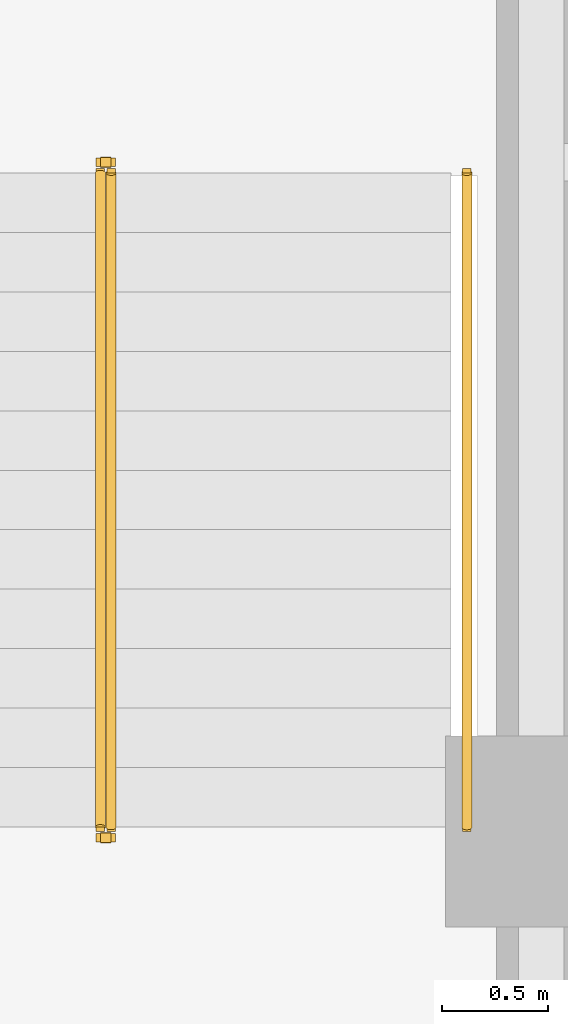
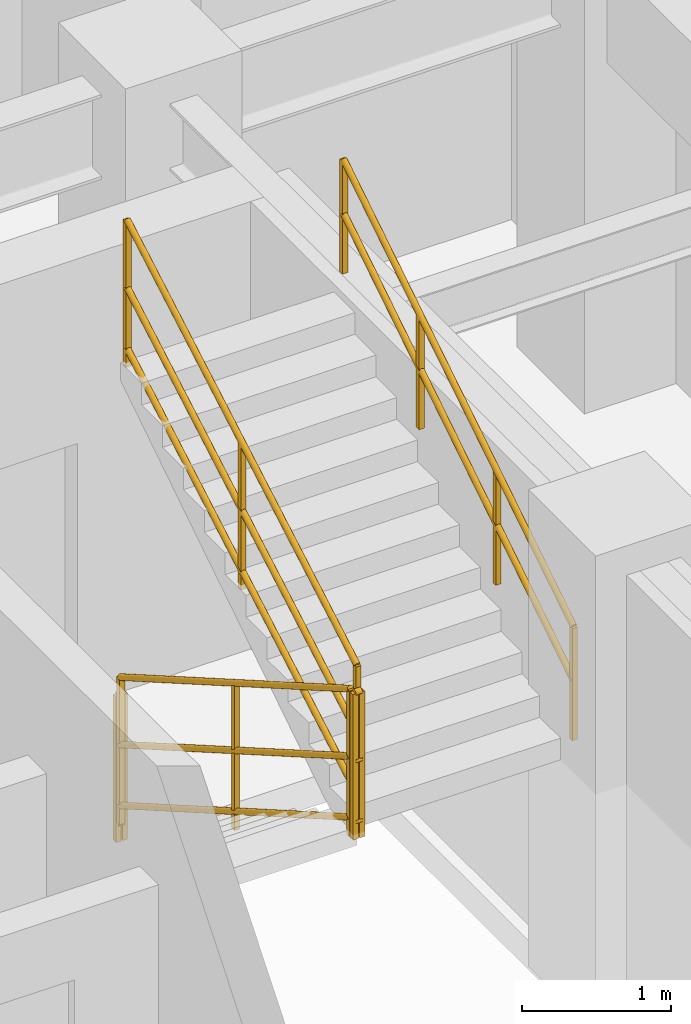
# One storey, part 9 of 10: 5 railings.
"""IFC4 building model written with IfcOpenShell, lengths in metres."""

from ifc_helpers import new_model, entity, si_unit, converted_unit, direction, frame, origin_with_axes, origin_2d_with_axis, place, context, subcontext, project, spatial, rectangle, circle, extrude, material, type_object, element, save


model = new_model("IFC4")

# Units and contexts
model_context = context("Model", 3, precision=1e-05, world=origin_with_axes(), true_north=direction((0.0, 1.0)))
body_context = subcontext(model_context, "Body", "Model", "MODEL_VIEW")
ifc_project = project(units=[si_unit("LENGTHUNIT", "METRE"), si_unit("AREAUNIT", "SQUARE_METRE"), si_unit("VOLUMEUNIT", "CUBIC_METRE"), converted_unit("PLANEANGLEUNIT", "DEGREE", entity("IfcPlaneAngleMeasure", 0.017453292519943295), si_unit("PLANEANGLEUNIT", "RADIAN"), dimensions=[0, 0, 0, 0, 0, 0, 0]), si_unit("MASSUNIT", "GRAM", prefix="KILO"), si_unit("THERMODYNAMICTEMPERATUREUNIT", "KELVIN")], contexts=[model_context])

# Site, building, storey
site_placement = place(None, origin_with_axes())
site = spatial("IfcSite", under=ifc_project, at=site_placement, CompositionType="ELEMENT")
building_placement = place(site_placement, origin_with_axes())
building = spatial("IfcBuilding", under=site, at=building_placement, Name="Varnlund Millrace Tower", CompositionType="ELEMENT")
storey_placement = place(building_placement, frame((0.0, 0.0, 236.4), z_axis=(0.0, 0.0, 1.0), x_axis=(1.0, 0.0, 0.0)))
storey = spatial("IfcBuildingStorey", under=building, at=storey_placement, Name="L58", CompositionType="ELEMENT", Elevation=236.4)

# Railings
ifc_material_1 = material(Name="Painted steel stair well balustrade guard", Category="steel")
railing_type_1 = type_object("IfcRailingType", Name="Type-StairGuard-1150", PredefinedType="GUARDRAIL", material=ifc_material_1)
railing_1_placement = place(storey_placement, frame((0.0, 0.0, -236.4), z_axis=(0.0, 0.0, 1.0), x_axis=(1.0, 0.0, 0.0)))
element("IfcRailing", 1, at=railing_1_placement, inside=storey, type_object=railing_type_1, Name="Type-StairGuard-1150", PredefinedType="GUARDRAIL", context=body_context, shape_type="SweptSolid", body=[
    extrude(circle(Radius=0.024, at=origin_2d_with_axis()), frame((45.975, 21.1, 237.727273), z_axis=(0.0, -0.866696, 0.498836), x_axis=(1.0, 0.0, 0.0)), (0.0, 0.0, 1.0), 3.553725),
    extrude(circle(Radius=0.024, at=origin_2d_with_axis()), frame((45.975, 21.1, 236.677273), z_axis=(0.0, -0.866696, 0.498836), x_axis=(1.0, 0.0, 0.0)), (0.0, 0.0, 1.0), 3.553725),
    extrude(circle(Radius=0.024, at=origin_2d_with_axis()), frame((45.975, 21.1, 237.175273), z_axis=(0.0, -0.866696, 0.498836), x_axis=(1.0, 0.0, 0.0)), (0.0, 0.0, 1.0), 3.553725),
    extrude(rectangle(XDim=0.04, YDim=0.04, at=origin_2d_with_axis()), frame((45.975, 21.1, 236.537273), z_axis=(0.0, 0.0, 1.0), x_axis=(1.0, 0.0, 0.0)), (0.0, 0.0, 1.0), 1.19),
    extrude(rectangle(XDim=0.04, YDim=0.04, at=origin_2d_with_axis()), frame((45.975, 19.56, 237.423637), z_axis=(0.0, 0.0, 1.0), x_axis=(1.0, 0.0, 0.0)), (0.0, 0.0, 1.0), 1.19),
    extrude(rectangle(XDim=0.04, YDim=0.04, at=origin_2d_with_axis()), frame((45.975, 18.02, 238.31), z_axis=(0.0, 0.0, 1.0), x_axis=(1.0, 0.0, 0.0)), (0.0, 0.0, 1.0), 1.19),
])
railing_2_placement = place(storey_placement, frame((0.0, 0.0, -236.4), z_axis=(0.0, 0.0, 1.0), x_axis=(1.0, 0.0, 0.0)))
element("IfcRailing", 2, at=railing_2_placement, inside=storey, type_object=railing_type_1, Name="Type-StairGuard-1150", PredefinedType="GUARDRAIL", context=body_context, shape_type="SweptSolid", body=[
    extrude(circle(Radius=0.024, at=origin_2d_with_axis()), frame((46.025, 17.97, 239.5), z_axis=(-1.0, 0.0, 0.0), x_axis=(0.0, -1.0, 0.0)), (0.0, 0.0, 1.0), 0.05),
    extrude(circle(Radius=0.024, at=origin_2d_with_axis()), frame((46.025, 17.97, 238.45), z_axis=(-1.0, 0.0, 0.0), x_axis=(0.0, -1.0, 0.0)), (0.0, 0.0, 1.0), 0.05),
    extrude(circle(Radius=0.024, at=origin_2d_with_axis()), frame((46.025, 17.97, 238.948), z_axis=(-1.0, 0.0, 0.0), x_axis=(0.0, -1.0, 0.0)), (0.0, 0.0, 1.0), 0.05),
    extrude(rectangle(XDim=0.04, YDim=0.04, at=origin_2d_with_axis()), frame((46.025, 17.97, 238.31), z_axis=(0.0, 0.0, 1.0), x_axis=(1.0, 0.0, 0.0)), (0.0, 0.0, 1.0), 1.19),
    extrude(rectangle(XDim=0.04, YDim=0.04, at=origin_2d_with_axis()), frame((45.975, 17.97, 238.31), z_axis=(0.0, 0.0, 1.0), x_axis=(1.0, 0.0, 0.0)), (0.0, 0.0, 1.0), 1.19),
])
railing_3_placement = place(storey_placement, frame((0.0, 0.0, -236.4), z_axis=(0.0, 0.0, 1.0), x_axis=(1.0, 0.0, 0.0)))
element("IfcRailing", 3, at=railing_3_placement, inside=storey, type_object=railing_type_1, Name="Type-StairGuard-1150", PredefinedType="GUARDRAIL", context=body_context, shape_type="SweptSolid", body=[
    extrude(circle(Radius=0.024, at=origin_2d_with_axis()), frame((46.025, 18.02, 239.677273), z_axis=(0.0, 0.866696, 0.498836), x_axis=(-1.0, 0.0, 0.0)), (0.0, 0.0, 1.0), 3.553725),
    extrude(circle(Radius=0.024, at=origin_2d_with_axis()), frame((46.025, 18.02, 238.627273), z_axis=(0.0, 0.866696, 0.498836), x_axis=(-1.0, 0.0, 0.0)), (0.0, 0.0, 1.0), 3.553725),
    extrude(circle(Radius=0.024, at=origin_2d_with_axis()), frame((46.025, 18.02, 239.125273), z_axis=(0.0, 0.866696, 0.498836), x_axis=(-1.0, 0.0, 0.0)), (0.0, 0.0, 1.0), 3.553725),
    extrude(rectangle(XDim=0.04, YDim=0.04, at=origin_2d_with_axis()), frame((46.025, 18.02, 238.487273), z_axis=(0.0, 0.0, 1.0), x_axis=(1.0, 0.0, 0.0)), (0.0, 0.0, 1.0), 1.19),
    extrude(rectangle(XDim=0.04, YDim=0.04, at=origin_2d_with_axis()), frame((46.025, 19.56, 239.373636), z_axis=(0.0, 0.0, 1.0), x_axis=(1.0, 0.0, 0.0)), (0.0, 0.0, 1.0), 1.19),
    extrude(rectangle(XDim=0.04, YDim=0.04, at=origin_2d_with_axis()), frame((46.025, 21.1, 240.26), z_axis=(0.0, 0.0, 1.0), x_axis=(1.0, 0.0, 0.0)), (0.0, 0.0, 1.0), 1.19),
])
railing_4_placement = place(storey_placement, frame((0.0, 0.0, -236.4), z_axis=(0.0, 0.0, 1.0), x_axis=(1.0, 0.0, 0.0)))
element("IfcRailing", 4, at=railing_4_placement, inside=storey, type_object=railing_type_1, Name="Type-StairGuard-1150", PredefinedType="GUARDRAIL", context=body_context, shape_type="SweptSolid", body=[
    extrude(circle(Radius=0.024, at=origin_2d_with_axis()), frame((46.025, 21.15, 237.55), z_axis=(-1.0, 0.0, 0.0), x_axis=(0.0, -1.0, 0.0)), (0.0, 0.0, 1.0), 0.05),
    extrude(circle(Radius=0.024, at=origin_2d_with_axis()), frame((46.025, 21.15, 236.5), z_axis=(-1.0, 0.0, 0.0), x_axis=(0.0, -1.0, 0.0)), (0.0, 0.0, 1.0), 0.05),
    extrude(circle(Radius=0.024, at=origin_2d_with_axis()), frame((46.025, 21.15, 236.998), z_axis=(-1.0, 0.0, 0.0), x_axis=(0.0, -1.0, 0.0)), (0.0, 0.0, 1.0), 0.05),
    extrude(rectangle(XDim=0.04, YDim=0.04, at=origin_2d_with_axis()), frame((46.025, 21.15, 236.36), z_axis=(0.0, 0.0, 1.0), x_axis=(1.0, 0.0, 0.0)), (0.0, 0.0, 1.0), 1.19),
    extrude(rectangle(XDim=0.04, YDim=0.04, at=origin_2d_with_axis()), frame((45.975, 21.15, 236.36), z_axis=(0.0, 0.0, 1.0), x_axis=(1.0, 0.0, 0.0)), (0.0, 0.0, 1.0), 1.19),
])
ifc_material_2 = material(Name="Brushed architectural bronze stair handrail", Category="aluminium")
railing_type_2 = type_object("IfcRailingType", Name="Type-StairHandrail-900", PredefinedType="HANDRAIL", material=ifc_material_2)
railing_5_placement = place(storey_placement, frame((0.0, 0.0, -236.4), z_axis=(0.0, 0.0, 1.0), x_axis=(1.0, 0.0, 0.0)))
element("IfcRailing", 5, at=railing_5_placement, inside=storey, type_object=railing_type_2, Name="Type-StairHandrail-900", PredefinedType="HANDRAIL", context=body_context, shape_type="SweptSolid", body=[
    extrude(circle(Radius=0.024, at=origin_2d_with_axis()), frame((47.7, 18.02, 239.406995), z_axis=(0.0, 0.844902, 0.534922), x_axis=(-1.0, 0.0, 0.0)), (0.0, 0.0, 1.0), 3.645394),
    extrude(circle(Radius=0.024, at=origin_2d_with_axis()), frame((47.7, 18.02, 238.967134), z_axis=(0.0, 0.844902, 0.534922), x_axis=(-1.0, 0.0, 0.0)), (0.0, 0.0, 1.0), 3.645394),
    extrude(rectangle(XDim=0.04, YDim=0.04, at=origin_2d_with_axis()), frame((47.7, 18.02, 238.487273), z_axis=(0.0, 0.0, 1.0), x_axis=(1.0, 0.0, 0.0)), (0.0, 0.0, 1.0), 0.919722),
    extrude(rectangle(XDim=0.04, YDim=0.04, at=origin_2d_with_axis()), frame((47.7, 19.046667, 239.137273), z_axis=(0.0, 0.0, 1.0), x_axis=(1.0, 0.0, 0.0)), (0.0, 0.0, 1.0), 0.919722),
    extrude(rectangle(XDim=0.04, YDim=0.04, at=origin_2d_with_axis()), frame((47.7, 20.073333, 239.787273), z_axis=(0.0, 0.0, 1.0), x_axis=(1.0, 0.0, 0.0)), (0.0, 0.0, 1.0), 0.919722),
    extrude(rectangle(XDim=0.04, YDim=0.04, at=origin_2d_with_axis()), frame((47.7, 21.1, 240.437273), z_axis=(0.0, 0.0, 1.0), x_axis=(1.0, 0.0, 0.0)), (0.0, 0.0, 1.0), 0.919722),
])

save(model, "model.ifc")
